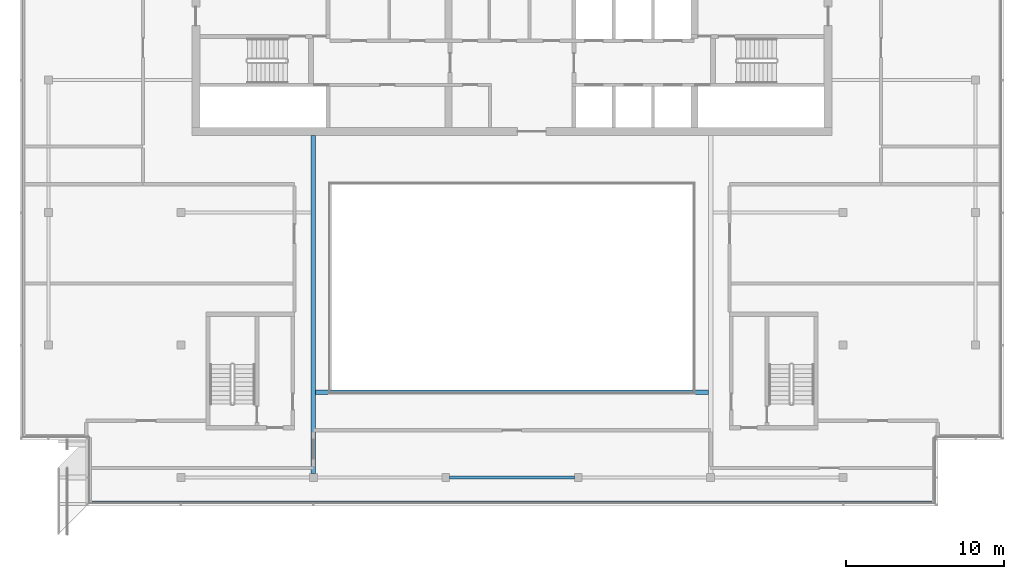
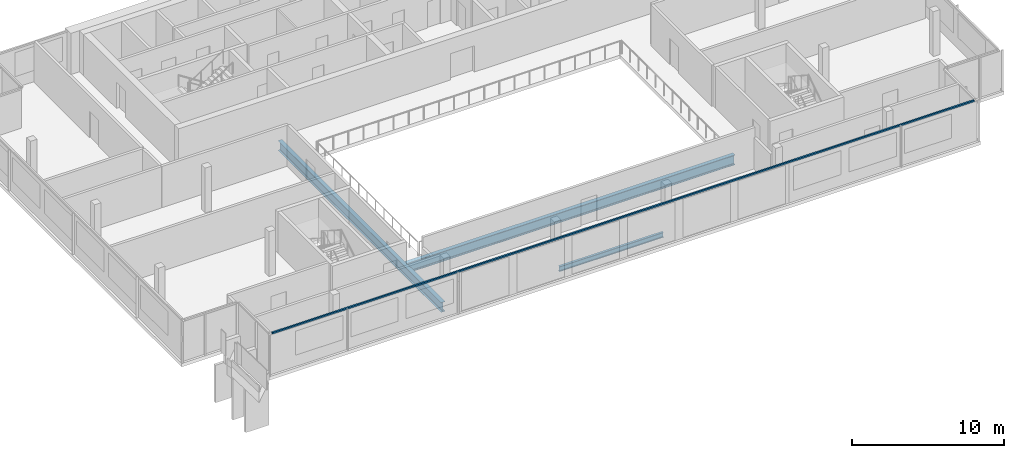
# One storey, part 3 of 19: 3 beams, 1 member, 1 element without a shape of its own.
"""IFC4 building model written with IfcOpenShell, lengths in metres."""

from ifc_helpers import new_model, si_unit, direction, frame, origin, origin_2d, place, context, subcontext, project, spatial, rectangle, i_section, extrude, material, material_profile, profile_set, type_object, element, aggregate, save


model = new_model("IFC4")

# Units and contexts
model_context = context("Model", 3, precision=1e-05, world=origin(), true_north=direction((0.0, 1.0)))
body_context = subcontext(model_context, "Body", "Model", "MODEL_VIEW")
ifc_project = project(units=[si_unit("LENGTHUNIT", "METRE"), si_unit("AREAUNIT", "SQUARE_METRE"), si_unit("VOLUMEUNIT", "CUBIC_METRE"), si_unit("PLANEANGLEUNIT", "RADIAN"), si_unit("MASSUNIT", "GRAM", prefix="KILO")], contexts=[model_context])

# Site, building, storey
site_placement = place(None, origin())
site = spatial("IfcSite", under=ifc_project, at=site_placement, CompositionType="ELEMENT")
building_placement = place(site_placement, origin())
building = spatial("IfcBuilding", under=site, at=building_placement, Name="Saffron Gate Tower", CompositionType="ELEMENT")
storey_placement = place(building_placement, frame((0.0, 0.0, 306.75)))
storey = spatial("IfcBuildingStorey", under=building, at=storey_placement, Name="L75", CompositionType="ELEMENT", Elevation=306.75)

# Beams
ifc_material_1 = material(Name="Structural steel S355", Category="steel")
ifc_material_profile_1 = material_profile(ifc_material_1, i_section(OverallWidth=0.300048828125, OverallDepth=0.7900390625, WebThickness=0.014892578125, FlangeThickness=0.028076171875, FilletRadius=0.030029296875, at=origin_2d()))
ifc_profile_set_1 = profile_set([ifc_material_profile_1], Name="Structural steel S355")
beam_type_1 = type_object("IfcBeamType", Name="B18 HEA 800", PredefinedType="BEAM", material=ifc_profile_set_1)
beam_1_placement = place(storey_placement, frame((75.0, 40.449951171875, -0.675048828125), z_axis=(0.0, 1.0, 0.0), x_axis=(-1.0, 0.0, 0.0)))
element("IfcBeam", 1, at=beam_1_placement, inside=storey, type_object=beam_type_1, Name="B18 ATRIUM GIRDER", PredefinedType="BEAM", context=body_context, shape_type="SweptSolid", body=[
    extrude(i_section(OverallWidth=0.300048828125, OverallDepth=0.7900390625, WebThickness=0.014892578125, FlangeThickness=0.028076171875, FilletRadius=0.030029296875, at=origin_2d()), origin(), (0.0, 0.0, 1.0), 21.449951171875),
])
beam_2_placement = place(storey_placement, frame((75.14990234375, 45.60009765625, -0.675048828125), z_axis=(1.0, 0.0, 0.0), x_axis=(0.0, 1.0, 0.0)))
element("IfcBeam", 2, at=beam_2_placement, inside=storey, type_object=beam_type_1, Name="B18 ATRIUM GIRDER", PredefinedType="BEAM", context=body_context, shape_type="SweptSolid", body=[
    extrude(i_section(OverallWidth=0.300048828125, OverallDepth=0.7900390625, WebThickness=0.014892578125, FlangeThickness=0.028076171875, FilletRadius=0.030029296875, at=origin_2d()), origin(), (0.0, 0.0, 1.0), 24.900146484375),
])
ifc_material_profile_2 = material_profile(ifc_material_1, i_section(OverallWidth=0.179931640625, OverallDepth=0.39990234375, WebThickness=0.008544921875, FlangeThickness=0.013427734375, FilletRadius=0.02099609375, at=origin_2d()))
ifc_profile_set_2 = profile_set([ifc_material_profile_2], Name="Structural steel S355")
beam_type_2 = type_object("IfcBeamType", Name="B5 IPE 400", PredefinedType="SPANDREL", material=ifc_profile_set_2)
beam_3_placement = place(storey_placement, frame((83.64990234375, 40.199951171875, -0.47998046875), z_axis=(1.0, 0.0, 0.0), x_axis=(0.0, 1.0, 0.0)))
element("IfcBeam", 3, at=beam_3_placement, inside=storey, type_object=beam_type_2, Name="B5 SPANDREL BEAM", PredefinedType="SPANDREL", context=body_context, shape_type="SweptSolid", body=[
    extrude(i_section(OverallWidth=0.179931640625, OverallDepth=0.39990234375, WebThickness=0.008544921875, FlangeThickness=0.013427734375, FilletRadius=0.02099609375, at=origin_2d()), origin(), (0.0, 0.0, 1.0), 7.900146484375),
])

# Curtain wall, member
ifc_material_2 = material(Name="Aluminium, bronze anodised", Category="aluminium")
curtain_wall_type = type_object("IfcCurtainWallType", Name="CWS1 curtain wall front facade", PredefinedType="NOTDEFINED", material=ifc_material_2)
curtain_wall_placement = place(storey_placement, origin())
curtain_wall = element("IfcCurtainWall", 4, at=curtain_wall_placement, inside=storey, type_object=curtain_wall_type, Name="CWS1 run 1", PredefinedType="NOTDEFINED")
ifc_material_profile_3 = material_profile(ifc_material_2, rectangle(XDim=0.1201171875, YDim=0.1201171875, at=origin_2d()))
ifc_profile_set_3 = profile_set([ifc_material_profile_3], Name="Aluminium, bronze anodised")
member_type = type_object("IfcMemberType", Name="CWS1 head transom", PredefinedType="USERDEFINED", material=ifc_profile_set_3)
member_placement = place(storey_placement, frame((60.968017578125, 38.64794921875, 3.239990234375), z_axis=(1.0, 0.0, 0.0), x_axis=(0.0, 1.0, 0.0)))
member = element("IfcMember", 5, at=member_placement, type_object=member_type, Name="CWS1 head transom", ObjectType="TRANSOM", PredefinedType="USERDEFINED", context=body_context, shape_type="SweptSolid", body=[
    extrude(rectangle(XDim=0.1201171875, YDim=0.1201171875, at=origin_2d()), origin(), (0.0, 0.0, 1.0), 53.263916015625),
])
aggregate(curtain_wall, [member])

save(model, "model.ifc")
